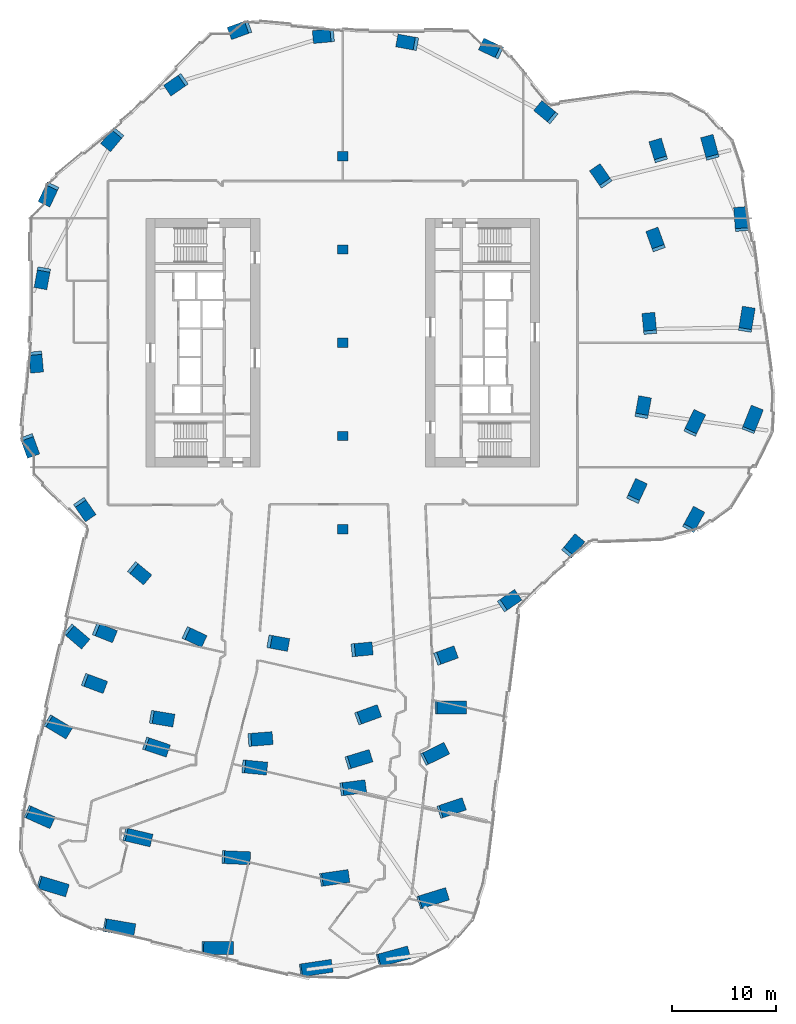
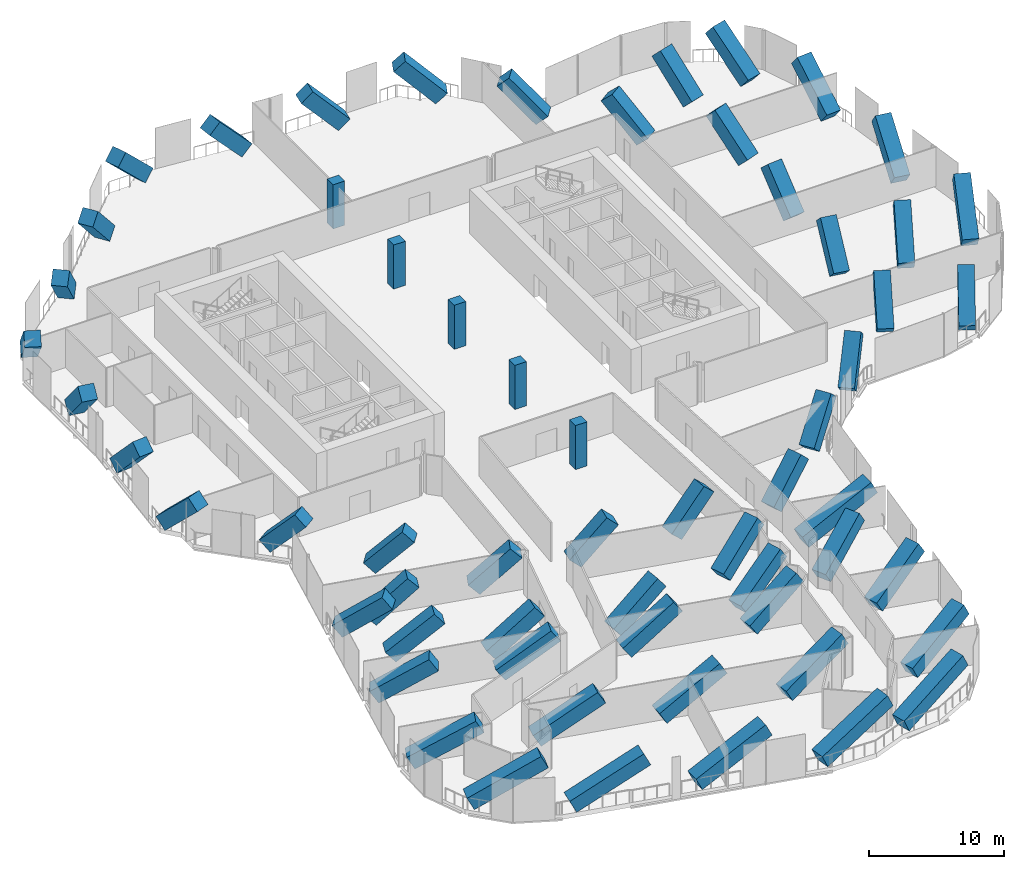
# One storey, part 1 of 29: 60 columns.
"""IFC4 building model written with IfcOpenShell, lengths in metres."""

from ifc_helpers import new_model, si_unit, direction, frame, origin, origin_2d, place, context, subcontext, project, spatial, rectangle, extrude, material, material_profile, profile_set, type_object, element, save


model = new_model("IFC4")

# Units and contexts
model_context = context("Model", 3, precision=1e-05, world=origin(), true_north=direction((0.0, 1.0)))
body_context = subcontext(model_context, "Body", "Model", "MODEL_VIEW")
ifc_project = project(units=[si_unit("LENGTHUNIT", "METRE"), si_unit("AREAUNIT", "SQUARE_METRE"), si_unit("VOLUMEUNIT", "CUBIC_METRE"), si_unit("PLANEANGLEUNIT", "RADIAN"), si_unit("MASSUNIT", "GRAM", prefix="KILO")], contexts=[model_context])

# Site, building, storey
site_placement = place(None, origin())
site = spatial("IfcSite", under=ifc_project, at=site_placement, CompositionType="ELEMENT")
building_placement = place(site_placement, origin())
building = spatial("IfcBuilding", under=site, at=building_placement, Name="Orlundy Tower", CompositionType="ELEMENT")
storey_placement = place(building_placement, frame((0.0, 0.0, 184.60009765625)))
storey = spatial("IfcBuildingStorey", under=building, at=storey_placement, Name="L48", CompositionType="ELEMENT", Elevation=184.60009765625)

# Columns
ifc_material_1 = material(Name="Concrete C70/85", Category="concrete")
ifc_material_profile_1 = material_profile(ifc_material_1, rectangle(XDim=1.0, YDim=0.89990234375, at=origin_2d()), Name="RC1000X900")
ifc_profile_set_1 = profile_set([ifc_material_profile_1], Name="Concrete C70/85")
column_type_1 = type_object("IfcColumnType", Name="RC COLUMN RC1000X900 C70/85", PredefinedType="COLUMN", material=ifc_profile_set_1)
for number, where, z_axis, x_axis, name in (
    (1, (0.0, -18.0, 0.0), (0.0, 0.0, 1.0), (1.0, 0.0, 0.0), "Column C-M1 L48"),
    (2, (0.0, -9.0, 0.0), (0.0, 0.0, 1.0), (1.0, 0.0, 0.0), "Column C-M2 L48"),
    (3, (0.0, 0.0, 0.0), (0.0, 0.0, 1.0), (1.0, 0.0, 0.0), "Column C-M3 L48"),
    (4, (0.0, 9.0, 0.0), (0.0, 0.0, 1.0), (1.0, 0.0, 0.0), "Column C-M4 L48"),
    (5, (0.0, 18.0, 0.0), (0.0, 0.0, 1.0), (1.0, 0.0, 0.0), "Column C-M5 L48"),
):
    element("IfcColumn", number, at=place(storey_placement, frame(where, z_axis=z_axis, x_axis=x_axis)), inside=storey, type_object=column_type_1, Name=name, PredefinedType="COLUMN", context=body_context, shape_type="SweptSolid", body=[
        extrude(rectangle(XDim=1.0, YDim=0.89990234375, at=origin_2d()), origin(), (0.0, 0.0, 1.0), 4.0),
    ])
ifc_material_2 = material(Name="Concrete C70/85", Category="concrete")
ifc_material_profile_2 = material_profile(ifc_material_2, rectangle(XDim=1.25, YDim=1.25, at=origin_2d()), Name="RC1250X1250")
ifc_profile_set_2 = profile_set([ifc_material_profile_2], Name="Concrete C70/85")
column_type_2 = type_object("IfcColumnType", Name="RC COLUMN RC1250X1250 C70/85", PredefinedType="COLUMN", material=ifc_profile_set_2)
column_1_placement = place(storey_placement, frame((33.534912109375, -17.678955078125, 0.477294921875), z_axis=(0.365175306665, 0.670954006353, 0.645343100034), x_axis=(-0.878335237857, 0.478045196545, 0.0)))
element("IfcColumn", 6, at=column_1_placement, inside=storey, type_object=column_type_2, Name="Column C-A1-1 L48 strut", PredefinedType="COLUMN", context=body_context, shape_type="SweptSolid", body=[
    extrude(rectangle(XDim=1.25, YDim=1.25, at=origin_2d()), origin(), (0.0, 0.0, 1.0), 4.71875),
])
column_2_placement = place(storey_placement, frame((39.239013671875, -8.221923828125, 0.5166015625), z_axis=(0.305521946712, 0.768226346687, 0.562569658205), x_axis=(-0.929212518214, 0.369545796884, 0.0)))
element("IfcColumn", 7, at=column_2_placement, inside=storey, type_object=column_type_2, Name="Column C-A2-5 L48 strut", PredefinedType="COLUMN", context=body_context, shape_type="SweptSolid", body=[
    extrude(rectangle(XDim=1.25, YDim=1.25, at=origin_2d()), origin(), (0.0, 0.0, 1.0), 5.273193359375),
])
column_3_placement = place(storey_placement, frame((33.64306640625, -8.43408203125, 0.4931640625), z_axis=(0.338094056593, 0.713107287579, 0.614142007437), x_axis=(-0.903587583396, 0.428403407004, 0.0)))
element("IfcColumn", 8, at=column_3_placement, inside=storey, type_object=column_type_2, Name="Column C-A2-6 L48 strut", PredefinedType="COLUMN", context=body_context, shape_type="SweptSolid", body=[
    extrude(rectangle(XDim=1.25, YDim=1.25, at=origin_2d()), origin(), (0.0, 0.0, 1.0), 4.90673828125),
])
column_4_placement = place(storey_placement, frame((38.8720703125, 1.470947265625, 0.5009765625), z_axis=(0.130797423433, 0.790966629464, 0.59771550515), x_axis=(-0.986601540553, 0.163148399253, 0.0)))
element("IfcColumn", 9, at=column_4_placement, inside=storey, type_object=column_type_2, Name="Column C-A3-5 L48 strut", PredefinedType="COLUMN", context=body_context, shape_type="SweptSolid", body=[
    extrude(rectangle(XDim=1.25, YDim=1.25, at=origin_2d()), origin(), (0.0, 0.0, 1.0), 5.015380859375),
])
column_5_placement = place(storey_placement, frame((38.5048828125, 11.1640625, 0.494384765625), z_axis=(-0.060693998366, 0.788873218961, 0.611551537459), x_axis=(-0.997053379416, -0.076710876636, 0.0)))
element("IfcColumn", 10, at=column_5_placement, inside=storey, type_object=column_type_2, Name="Column C-A4-5 L48 strut", PredefinedType="COLUMN", context=body_context, shape_type="SweptSolid", body=[
    extrude(rectangle(XDim=1.25, YDim=1.25, at=origin_2d()), origin(), (0.0, 0.0, 1.0), 4.923583984375),
])
column_6_placement = place(storey_placement, frame((35.632080078125, 18.153076171875, 0.483154296875), z_axis=(-0.204101861918, 0.745650774182, 0.634308562865), x_axis=(-0.964519582336, -0.264011316595, 0.0)))
element("IfcColumn", 11, at=column_6_placement, inside=storey, type_object=column_type_2, Name="Column C-A5-5 L48 strut", PredefinedType="COLUMN", context=body_context, shape_type="SweptSolid", body=[
    extrude(rectangle(XDim=1.25, YDim=1.25, at=origin_2d()), origin(), (0.0, 0.0, 1.0), 4.7822265625),
])
column_7_placement = place(storey_placement, frame((30.635986328125, 17.964111328125, 0.44970703125), z_axis=(-0.208995743765, 0.688504816783, 0.694465187288), x_axis=(-0.956886234679, -0.290462964732, 0.0)))
element("IfcColumn", 12, at=column_7_placement, inside=storey, type_object=column_type_2, Name="Column C-A5-6 L48 strut", PredefinedType="COLUMN", context=body_context, shape_type="SweptSolid", body=[
    extrude(rectangle(XDim=1.25, YDim=1.25, at=origin_2d()), origin(), (0.0, 0.0, 1.0), 4.464599609375),
])
column_8_placement = place(storey_placement, frame((-26.2451171875, -27.866943359375, 0.48828125), z_axis=(0.594584045488, -0.506835395561, 0.62416960408), x_axis=(0.648717026614, 0.76102970992, 0.0)))
element("IfcColumn", 13, at=column_8_placement, inside=storey, type_object=column_type_2, Name="Column C-B1-1 L48 strut", PredefinedType="COLUMN", context=body_context, shape_type="SweptSolid", body=[
    extrude(rectangle(XDim=1.25, YDim=1.25, at=origin_2d()), origin(), (0.0, 0.0, 1.0), 4.843994140625),
])
column_9_placement = place(storey_placement, frame((-28.237060546875, -36.60888671875, 0.519287109375), z_axis=(0.712577345737, -0.427913124635, 0.555989104306), x_axis=(0.514820127145, 0.857298219225, 0.0)))
element("IfcColumn", 14, at=column_9_placement, inside=storey, type_object=column_type_2, Name="Column C-B1-2 L48 strut", PredefinedType="COLUMN", context=body_context, shape_type="SweptSolid", body=[
    extrude(rectangle(XDim=1.25, YDim=1.25, at=origin_2d()), origin(), (0.0, 0.0, 1.0), 5.325927734375),
])
column_10_placement = place(storey_placement, frame((-30.22802734375, -45.35205078125, 0.544189453125), z_axis=(0.795358970602, -0.354820763569, 0.49143293909), x_axis=(0.407411277819, 0.913244792323, 0.0)))
element("IfcColumn", 15, at=column_10_placement, inside=storey, type_object=column_type_2, Name="Column C-B1-3 L48 strut", PredefinedType="COLUMN", context=body_context, shape_type="SweptSolid", body=[
    extrude(rectangle(XDim=1.25, YDim=1.25, at=origin_2d()), origin(), (0.0, 0.0, 1.0), 5.92431640625),
])
column_11_placement = place(storey_placement, frame((-29.09912109375, -52.132080078125, 0.556396484375), z_axis=(0.852947554724, -0.256161197442, 0.454820744707), x_axis=(0.287633152417, 0.957740658858, 0.0)))
element("IfcColumn", 16, at=column_11_placement, inside=storey, type_object=column_type_2, Name="Column C-B1-5 L48 strut", PredefinedType="COLUMN", context=body_context, shape_type="SweptSolid", body=[
    extrude(rectangle(XDim=1.25, YDim=1.25, at=origin_2d()), origin(), (0.0, 0.0, 1.0), 6.347412109375),
])
column_12_placement = place(storey_placement, frame((-24.656982421875, -32.632080078125, 0.48291015625), z_axis=(0.724962001082, -0.268268101943, 0.634399182272), x_axis=(0.347045477387, 0.937848301499, 0.0)))
element("IfcColumn", 17, at=column_12_placement, inside=storey, type_object=column_type_2, Name="Column C-B1-6 L48 strut", PredefinedType="COLUMN", context=body_context, shape_type="SweptSolid", body=[
    extrude(rectangle(XDim=1.25, YDim=1.25, at=origin_2d()), origin(), (0.0, 0.0, 1.0), 4.782470703125),
])
column_13_placement = place(storey_placement, frame((-23.547119140625, -27.757080078125, 0.44970703125), z_axis=(0.667718590405, -0.268104516318, 0.694457955789), x_axis=(0.372608914775, 0.92798846794, 0.0)))
element("IfcColumn", 18, at=column_13_placement, inside=storey, type_object=column_type_2, Name="Column C-B1-7 L48 strut", PredefinedType="COLUMN", context=body_context, shape_type="SweptSolid", body=[
    extrude(rectangle(XDim=1.25, YDim=1.25, at=origin_2d()), origin(), (0.0, 0.0, 1.0), 4.46484375),
])
column_14_placement = place(storey_placement, frame((-18.779052734375, -38.763916015625, 0.5087890625), z_axis=(0.771431629349, -0.259806608898, 0.58085606411), x_axis=(0.319170273664, 0.947697386516, 0.0)))
element("IfcColumn", 19, at=column_14_placement, inside=storey, type_object=column_type_2, Name="Column C-B2-2 L48 strut", PredefinedType="COLUMN", context=body_context, shape_type="SweptSolid", body=[
    extrude(rectangle(XDim=1.25, YDim=1.25, at=origin_2d()), origin(), (0.0, 0.0, 1.0), 5.134521484375),
])
column_15_placement = place(storey_placement, frame((-20.77099609375, -47.507080078125, 0.539794921875), z_axis=(0.840671553318, -0.199476391507, 0.503468478331), x_axis=(0.230871820533, 0.97298417381, 0.0)))
element("IfcColumn", 20, at=column_15_placement, inside=storey, type_object=column_type_2, Name="Column C-B2-3 L48 strut", PredefinedType="COLUMN", context=body_context, shape_type="SweptSolid", body=[
    extrude(rectangle(XDim=1.25, YDim=1.25, at=origin_2d()), origin(), (0.0, 0.0, 1.0), 5.800048828125),
])
column_16_placement = place(storey_placement, frame((-22.761962890625, -56.2490234375, 0.56103515625), z_axis=(0.885365336717, -0.149999912419, 0.440032097482), x_axis=(0.167041104274, 0.985949932544, 0.0)))
element("IfcColumn", 21, at=column_16_placement, inside=storey, type_object=column_type_2, Name="Column C-B2-5 L48 strut", PredefinedType="COLUMN", context=body_context, shape_type="SweptSolid", body=[
    extrude(rectangle(XDim=1.25, YDim=1.25, at=origin_2d()), origin(), (0.0, 0.0, 1.0), 6.539794921875),
])
column_17_placement = place(storey_placement, frame((-18.18701171875, -36.1640625, 0.4912109375), z_axis=(0.775457807337, -0.128450986857, 0.618195384176), x_axis=(0.163418559862, 0.986556827706, 0.0)))
element("IfcColumn", 22, at=column_17_placement, inside=storey, type_object=column_type_2, Name="Column C-B2-6 L48 strut", PredefinedType="COLUMN", context=body_context, shape_type="SweptSolid", body=[
    extrude(rectangle(XDim=1.25, YDim=1.25, at=origin_2d()), origin(), (0.0, 0.0, 1.0), 4.880859375),
])
column_18_placement = place(storey_placement, frame((-9.321044921875, -40.91796875, 0.507080078125), z_axis=(0.807822667818, -0.076366577329, 0.584457597457), x_axis=(0.094114240656, 0.995561404287, 0.0)))
element("IfcColumn", 23, at=column_18_placement, inside=storey, type_object=column_type_2, Name="Column C-B3-2 L48 strut", PredefinedType="COLUMN", context=body_context, shape_type="SweptSolid", body=[
    extrude(rectangle(XDim=1.25, YDim=1.25, at=origin_2d()), origin(), (0.0, 0.0, 1.0), 5.108642578125),
])
column_19_placement = place(storey_placement, frame((-11.31298828125, -49.660888671875, 0.541015625), z_axis=(0.864946051901, -0.036562943217, 0.500531196314), x_axis=(0.042234217254, 0.99910773738, 0.0)))
element("IfcColumn", 24, at=column_19_placement, inside=storey, type_object=column_type_2, Name="Column C-B3-3 L48 strut", PredefinedType="COLUMN", context=body_context, shape_type="SweptSolid", body=[
    extrude(rectangle(XDim=1.25, YDim=1.25, at=origin_2d()), origin(), (0.0, 0.0, 1.0), 5.829345703125),
])
column_20_placement = place(storey_placement, frame((-13.304931640625, -58.404052734375, 0.562744140625), z_axis=(0.900629552041, -0.005425923941, 0.43455375886), x_axis=(0.006024480834, 0.999981852651, 0.0)))
element("IfcColumn", 25, at=column_20_placement, inside=storey, type_object=column_type_2, Name="Column C-B3-5 L48 strut", PredefinedType="COLUMN", context=body_context, shape_type="SweptSolid", body=[
    extrude(rectangle(XDim=1.25, YDim=1.25, at=origin_2d()), origin(), (0.0, 0.0, 1.0), 6.6142578125),
])
column_21_placement = place(storey_placement, frame((-8.72900390625, -38.318115234375, 0.498046875), z_axis=(0.794448989588, 0.063769958442, 0.603973671068), x_axis=(-0.080012066347, 0.996793895065, 0.0)))
element("IfcColumn", 26, at=column_21_placement, inside=storey, type_object=column_type_2, Name="Column C-B3-6 L48 strut", PredefinedType="COLUMN", context=body_context, shape_type="SweptSolid", body=[
    extrude(rectangle(XDim=1.25, YDim=1.25, at=origin_2d()), origin(), (0.0, 0.0, 1.0), 4.97314453125),
])
column_22_placement = place(storey_placement, frame((0.135986328125, -43.072998046875, 0.515380859375), z_axis=(0.817897439629, 0.105701664787, 0.565571336182), x_axis=(-0.128169933962, 0.991752221086, 0.0)))
element("IfcColumn", 27, at=column_22_placement, inside=storey, type_object=column_type_2, Name="Column C-B4-2 L48 strut", PredefinedType="COLUMN", context=body_context, shape_type="SweptSolid", body=[
    extrude(rectangle(XDim=1.25, YDim=1.25, at=origin_2d()), origin(), (0.0, 0.0, 1.0), 5.25),
])
column_23_placement = place(storey_placement, frame((-1.85498046875, -51.81591796875, 0.546875), z_axis=(0.866750926043, 0.121813204401, 0.483636615071), x_axis=(-0.139172323167, 0.990268178053, 0.0)))
element("IfcColumn", 28, at=column_23_placement, inside=storey, type_object=column_type_2, Name="Column C-B4-3 L48 strut", PredefinedType="COLUMN", context=body_context, shape_type="SweptSolid", body=[
    extrude(rectangle(XDim=1.25, YDim=1.25, at=origin_2d()), origin(), (0.0, 0.0, 1.0), 6.008544921875),
])
column_24_placement = place(storey_placement, frame((-3.846923828125, -60.55810546875, 0.567138671875), z_axis=(0.897654780078, 0.133150276402, 0.420103439283), x_axis=(-0.146725911516, 0.989177186802, 0.0)))
element("IfcColumn", 29, at=column_24_placement, inside=storey, type_object=column_type_2, Name="Column C-B4-5 L48 strut", PredefinedType="COLUMN", context=body_context, shape_type="SweptSolid", body=[
    extrude(rectangle(XDim=1.25, YDim=1.25, at=origin_2d()), origin(), (0.0, 0.0, 1.0), 6.82080078125),
])
column_25_placement = place(storey_placement, frame((0.72900390625, -40.472900390625, 0.514404296875), z_axis=(0.786936095583, 0.241218803182, 0.567930515522), x_axis=(-0.293069723589, 0.956091071559, 0.0)))
element("IfcColumn", 30, at=column_25_placement, inside=storey, type_object=column_type_2, Name="Column C-B4-6 L48 strut", PredefinedType="COLUMN", context=body_context, shape_type="SweptSolid", body=[
    extrude(rectangle(XDim=1.25, YDim=1.25, at=origin_2d()), origin(), (0.0, 0.0, 1.0), 5.231689453125),
])
column_26_placement = place(storey_placement, frame((1.7060546875, -36.18310546875, 0.495849609375), z_axis=(0.746083690504, 0.270634328766, 0.608371750542), x_axis=(-0.34099865038, 0.940063785303, 0.0)))
element("IfcColumn", 31, at=column_26_placement, inside=storey, type_object=column_type_2, Name="Column C-B4-7 L48 strut", PredefinedType="COLUMN", context=body_context, shape_type="SweptSolid", body=[
    extrude(rectangle(XDim=1.25, YDim=1.25, at=origin_2d()), origin(), (0.0, 0.0, 1.0), 4.9443359375),
])
column_27_placement = place(storey_placement, frame((9.593994140625, -45.22705078125, 0.52978515625), z_axis=(0.80385086955, 0.270179786459, 0.529930809174), x_axis=(-0.318592879429, 0.947891648437, 0.0)))
element("IfcColumn", 32, at=column_27_placement, inside=storey, type_object=column_type_2, Name="Column C-B5-2 L48 strut", PredefinedType="COLUMN", context=body_context, shape_type="SweptSolid", body=[
    extrude(rectangle(XDim=1.25, YDim=1.25, at=origin_2d()), origin(), (0.0, 0.0, 1.0), 5.54833984375),
])
column_28_placement = place(storey_placement, frame((7.60205078125, -53.969970703125, 0.555908203125), z_axis=(0.849255984591, 0.265018516033, 0.456650258727), x_axis=(-0.297892000092, 0.954599579028, 0.0)))
element("IfcColumn", 33, at=column_28_placement, inside=storey, type_object=column_type_2, Name="Column C-B5-3 L48 strut", PredefinedType="COLUMN", context=body_context, shape_type="SweptSolid", body=[
    extrude(rectangle(XDim=1.25, YDim=1.25, at=origin_2d()), origin(), (0.0, 0.0, 1.0), 6.32421875),
])
column_29_placement = place(storey_placement, frame((3.64794921875, -59.592041015625, 0.5673828125), z_axis=(0.875742075193, 0.240178661154, 0.418795926989), x_axis=(-0.264490530984, 0.964388282291, 0.0)))
element("IfcColumn", 34, at=column_29_placement, inside=storey, type_object=column_type_2, Name="Column C-B5-5 L48 strut", PredefinedType="COLUMN", context=body_context, shape_type="SweptSolid", body=[
    extrude(rectangle(XDim=1.25, YDim=1.25, at=origin_2d()), origin(), (0.0, 0.0, 1.0), 6.841064453125),
])
column_30_placement = place(storey_placement, frame((8.090087890625, -40.092041015625, 0.5224609375), z_axis=(0.750515579364, 0.368778453299, 0.548387470239), x_axis=(-0.44100419738, 0.897505040595, 0.0)))
element("IfcColumn", 35, at=column_30_placement, inside=storey, type_object=column_type_2, Name="Column C-B5-6 L48 strut", PredefinedType="COLUMN", context=body_context, shape_type="SweptSolid", body=[
    extrude(rectangle(XDim=1.25, YDim=1.25, at=origin_2d()), origin(), (0.0, 0.0, 1.0), 5.38818359375),
])
column_31_placement = place(storey_placement, frame((9.200927734375, -35.217041015625, 0.562255859375), z_axis=(0.89978241183, 0.008334748566, 0.436259261594), x_axis=(-0.009262673842, 0.999957100516, 0.0)))
element("IfcColumn", 36, at=column_31_placement, inside=storey, type_object=column_type_2, Name="Column C-B5-7 L48 strut", PredefinedType="COLUMN", context=body_context, shape_type="SweptSolid", body=[
    extrude(rectangle(XDim=1.25, YDim=1.25, at=origin_2d()), origin(), (0.0, 0.0, 1.0), 6.590576171875),
])
column_32_placement = place(storey_placement, frame((14.85791015625, 28.14111328125, 0.4443359375), z_axis=(-0.644398349607, 0.300373402151, 0.703225843029), x_axis=(-0.422485992548, -0.906369453424, 0.0)))
element("IfcColumn", 37, at=column_32_placement, inside=storey, type_object=column_type_2, Name="Column C-H01 L48 strut", PredefinedType="COLUMN", context=body_context, shape_type="SweptSolid", body=[
    extrude(rectangle(XDim=1.25, YDim=1.25, at=origin_2d()), origin(), (0.0, 0.0, 1.0), 4.424072265625),
])
column_33_placement = place(storey_placement, frame((20.0400390625, 21.89111328125, 0.426025390625), z_axis=(-0.525001593097, 0.435014288801, 0.731529832464), x_axis=(-0.638029142959, -0.770012215965, 0.0)))
element("IfcColumn", 38, at=column_33_placement, inside=storey, type_object=column_type_2, Name="Column C-H02 L48 strut", PredefinedType="COLUMN", context=body_context, shape_type="SweptSolid", body=[
    extrude(rectangle(XDim=1.25, YDim=1.25, at=origin_2d()), origin(), (0.0, 0.0, 1.0), 4.302978515625),
])
column_34_placement = place(storey_placement, frame((25.221923828125, 15.64208984375, 0.426025390625), z_axis=(-0.387427218599, 0.560997790025, 0.731561091007), x_axis=(-0.82284779305, -0.568261831794, 0.0)))
element("IfcColumn", 39, at=column_34_placement, inside=storey, type_object=column_type_2, Name="Column C-H03 L48 strut", PredefinedType="COLUMN", context=body_context, shape_type="SweptSolid", body=[
    extrude(rectangle(XDim=1.25, YDim=1.25, at=origin_2d()), origin(), (0.0, 0.0, 1.0), 4.302734375),
])
column_35_placement = place(storey_placement, frame((30.405029296875, 9.39208984375, 0.4443359375), z_axis=(-0.243148299988, 0.668257819256, 0.703072109542), x_axis=(-0.939727712444, -0.341923714394, 0.0)))
element("IfcColumn", 40, at=column_35_placement, inside=storey, type_object=column_type_2, Name="Column C-H04 L48 strut", PredefinedType="COLUMN", context=body_context, shape_type="SweptSolid", body=[
    extrude(rectangle(XDim=1.25, YDim=1.25, at=origin_2d()), origin(), (0.0, 0.0, 1.0), 4.425048828125),
])
for number, where, z_axis, x_axis, name in (
    (41, (29.64990234375, 1.30908203125, 0.426025390625), (-0.063661111089, 0.678824895779, 0.731535387938), (-0.995631325403, -0.093371643857, 0.0), "Column C-H05 L48 strut"),
    (42, (28.89501953125, -6.77392578125, 0.426025390625), (0.122722725933, 0.670691328368, 0.731513687221), (-0.983668244629, 0.179991067857, 0.0), "Column C-H06 L48 strut"),
):
    element("IfcColumn", number, at=place(storey_placement, frame(where, z_axis=z_axis, x_axis=x_axis)), inside=storey, type_object=column_type_2, Name=name, PredefinedType="COLUMN", context=body_context, shape_type="SweptSolid", body=[
        extrude(rectangle(XDim=1.25, YDim=1.25, at=origin_2d()), origin(), (0.0, 0.0, 1.0), 4.302978515625),
    ])
column_36_placement = place(storey_placement, frame((28.14111328125, -14.85791015625, 0.4443359375), z_axis=(0.300373402151, 0.644398349607, 0.703225843029), x_axis=(-0.906369453424, 0.422485992548, 0.0)))
element("IfcColumn", 43, at=column_36_placement, inside=storey, type_object=column_type_2, Name="Column C-H07 L48 strut", PredefinedType="COLUMN", context=body_context, shape_type="SweptSolid", body=[
    extrude(rectangle(XDim=1.25, YDim=1.25, at=origin_2d()), origin(), (0.0, 0.0, 1.0), 4.424072265625),
])
column_37_placement = place(storey_placement, frame((21.89111328125, -20.0400390625, 0.426025390625), z_axis=(0.435014288801, 0.525001593097, 0.731529832464), x_axis=(-0.770012215965, 0.638029142959, 0.0)))
element("IfcColumn", 44, at=column_37_placement, inside=storey, type_object=column_type_2, Name="Column C-H08 L48 strut", PredefinedType="COLUMN", context=body_context, shape_type="SweptSolid", body=[
    extrude(rectangle(XDim=1.25, YDim=1.25, at=origin_2d()), origin(), (0.0, 0.0, 1.0), 4.302978515625),
])
column_38_placement = place(storey_placement, frame((15.64208984375, -25.221923828125, 0.426025390625), z_axis=(0.560997790025, 0.387427218599, 0.731561091007), x_axis=(-0.568261831794, 0.82284779305, 0.0)))
element("IfcColumn", 45, at=column_38_placement, inside=storey, type_object=column_type_2, Name="Column C-H09 L48 strut", PredefinedType="COLUMN", context=body_context, shape_type="SweptSolid", body=[
    extrude(rectangle(XDim=1.25, YDim=1.25, at=origin_2d()), origin(), (0.0, 0.0, 1.0), 4.302734375),
])
column_39_placement = place(storey_placement, frame((9.39208984375, -30.405029296875, 0.4443359375), z_axis=(0.668257819256, 0.243148299988, 0.703072109542), x_axis=(-0.341923714394, 0.939727712444, 0.0)))
element("IfcColumn", 46, at=column_39_placement, inside=storey, type_object=column_type_2, Name="Column C-H10 L48 strut", PredefinedType="COLUMN", context=body_context, shape_type="SweptSolid", body=[
    extrude(rectangle(XDim=1.25, YDim=1.25, at=origin_2d()), origin(), (0.0, 0.0, 1.0), 4.425048828125),
])
for number, where, z_axis, x_axis, name in (
    (47, (1.30908203125, -29.64990234375, 0.426025390625), (0.678824895779, 0.063661111089, 0.731535387938), (-0.093371643857, 0.995631325403, 0.0), "Column C-H11 L48 strut"),
    (48, (-6.77392578125, -28.89501953125, 0.426025390625), (0.670691328368, -0.122722725933, 0.731513687221), (0.179991067857, 0.983668244629, 0.0), "Column C-H12 L48 strut"),
):
    element("IfcColumn", number, at=place(storey_placement, frame(where, z_axis=z_axis, x_axis=x_axis)), inside=storey, type_object=column_type_2, Name=name, PredefinedType="COLUMN", context=body_context, shape_type="SweptSolid", body=[
        extrude(rectangle(XDim=1.25, YDim=1.25, at=origin_2d()), origin(), (0.0, 0.0, 1.0), 4.302978515625),
    ])
column_40_placement = place(storey_placement, frame((-14.85791015625, -28.14111328125, 0.4443359375), z_axis=(0.644398349607, -0.300373402151, 0.703225843029), x_axis=(0.422485992548, 0.906369453424, 0.0)))
element("IfcColumn", 49, at=column_40_placement, inside=storey, type_object=column_type_2, Name="Column C-H13 L48 strut", PredefinedType="COLUMN", context=body_context, shape_type="SweptSolid", body=[
    extrude(rectangle(XDim=1.25, YDim=1.25, at=origin_2d()), origin(), (0.0, 0.0, 1.0), 4.424072265625),
])
column_41_placement = place(storey_placement, frame((-20.0400390625, -21.89111328125, 0.426025390625), z_axis=(0.525001593097, -0.435014288801, 0.731529832464), x_axis=(0.638029142959, 0.770012215965, 0.0)))
element("IfcColumn", 50, at=column_41_placement, inside=storey, type_object=column_type_2, Name="Column C-H14 L48 strut", PredefinedType="COLUMN", context=body_context, shape_type="SweptSolid", body=[
    extrude(rectangle(XDim=1.25, YDim=1.25, at=origin_2d()), origin(), (0.0, 0.0, 1.0), 4.302978515625),
])
column_42_placement = place(storey_placement, frame((-25.221923828125, -15.64208984375, 0.426025390625), z_axis=(0.387427218599, -0.560997790025, 0.731561091007), x_axis=(0.82284779305, 0.568261831794, 0.0)))
element("IfcColumn", 51, at=column_42_placement, inside=storey, type_object=column_type_2, Name="Column C-H15 L48 strut", PredefinedType="COLUMN", context=body_context, shape_type="SweptSolid", body=[
    extrude(rectangle(XDim=1.25, YDim=1.25, at=origin_2d()), origin(), (0.0, 0.0, 1.0), 4.302734375),
])
column_43_placement = place(storey_placement, frame((-30.405029296875, -9.39208984375, 0.4443359375), z_axis=(0.243148299988, -0.668257819256, 0.703072109542), x_axis=(0.939727712444, 0.341923714394, 0.0)))
element("IfcColumn", 52, at=column_43_placement, inside=storey, type_object=column_type_2, Name="Column C-H16 L48 strut", PredefinedType="COLUMN", context=body_context, shape_type="SweptSolid", body=[
    extrude(rectangle(XDim=1.25, YDim=1.25, at=origin_2d()), origin(), (0.0, 0.0, 1.0), 4.425048828125),
])
for number, where, z_axis, x_axis, name in (
    (53, (-29.64990234375, -1.30908203125, 0.426025390625), (0.063661111089, -0.678824895779, 0.731535387938), (0.995631325403, 0.093371643857, 0.0), "Column C-H17 L48 strut"),
    (54, (-28.89501953125, 6.77392578125, 0.426025390625), (-0.122722725933, -0.670691328368, 0.731513687221), (0.983668244629, -0.179991067857, 0.0), "Column C-H18 L48 strut"),
):
    element("IfcColumn", number, at=place(storey_placement, frame(where, z_axis=z_axis, x_axis=x_axis)), inside=storey, type_object=column_type_2, Name=name, PredefinedType="COLUMN", context=body_context, shape_type="SweptSolid", body=[
        extrude(rectangle(XDim=1.25, YDim=1.25, at=origin_2d()), origin(), (0.0, 0.0, 1.0), 4.302978515625),
    ])
column_44_placement = place(storey_placement, frame((-28.14111328125, 14.85791015625, 0.4443359375), z_axis=(-0.300373402151, -0.644398349607, 0.703225843029), x_axis=(0.906369453424, -0.422485992548, 0.0)))
element("IfcColumn", 55, at=column_44_placement, inside=storey, type_object=column_type_2, Name="Column C-H19 L48 strut", PredefinedType="COLUMN", context=body_context, shape_type="SweptSolid", body=[
    extrude(rectangle(XDim=1.25, YDim=1.25, at=origin_2d()), origin(), (0.0, 0.0, 1.0), 4.424072265625),
])
column_45_placement = place(storey_placement, frame((-21.89111328125, 20.0400390625, 0.426025390625), z_axis=(-0.435014288801, -0.525001593097, 0.731529832464), x_axis=(0.770012215965, -0.638029142959, 0.0)))
element("IfcColumn", 56, at=column_45_placement, inside=storey, type_object=column_type_2, Name="Column C-H20 L48 strut", PredefinedType="COLUMN", context=body_context, shape_type="SweptSolid", body=[
    extrude(rectangle(XDim=1.25, YDim=1.25, at=origin_2d()), origin(), (0.0, 0.0, 1.0), 4.302978515625),
])
column_46_placement = place(storey_placement, frame((-15.64208984375, 25.221923828125, 0.426025390625), z_axis=(-0.560997790025, -0.387427218599, 0.731561091007), x_axis=(0.568261831794, -0.82284779305, 0.0)))
element("IfcColumn", 57, at=column_46_placement, inside=storey, type_object=column_type_2, Name="Column C-H21 L48 strut", PredefinedType="COLUMN", context=body_context, shape_type="SweptSolid", body=[
    extrude(rectangle(XDim=1.25, YDim=1.25, at=origin_2d()), origin(), (0.0, 0.0, 1.0), 4.302734375),
])
column_47_placement = place(storey_placement, frame((-9.39208984375, 30.405029296875, 0.4443359375), z_axis=(-0.668257819256, -0.243148299988, 0.703072109542), x_axis=(0.341923714394, -0.939727712444, 0.0)))
element("IfcColumn", 58, at=column_47_placement, inside=storey, type_object=column_type_2, Name="Column C-H22 L48 strut", PredefinedType="COLUMN", context=body_context, shape_type="SweptSolid", body=[
    extrude(rectangle(XDim=1.25, YDim=1.25, at=origin_2d()), origin(), (0.0, 0.0, 1.0), 4.425048828125),
])
for number, where, z_axis, x_axis, name in (
    (59, (-1.30908203125, 29.64990234375, 0.426025390625), (-0.678824895779, -0.063661111089, 0.731535387938), (0.093371643857, -0.995631325403, 0.0), "Column C-H23 L48 strut"),
    (60, (6.77392578125, 28.89501953125, 0.426025390625), (-0.670691328368, 0.122722725933, 0.731513687221), (-0.179991067857, -0.983668244629, 0.0), "Column C-H24 L48 strut"),
):
    element("IfcColumn", number, at=place(storey_placement, frame(where, z_axis=z_axis, x_axis=x_axis)), inside=storey, type_object=column_type_2, Name=name, PredefinedType="COLUMN", context=body_context, shape_type="SweptSolid", body=[
        extrude(rectangle(XDim=1.25, YDim=1.25, at=origin_2d()), origin(), (0.0, 0.0, 1.0), 4.302978515625),
    ])

save(model, "model.ifc")
